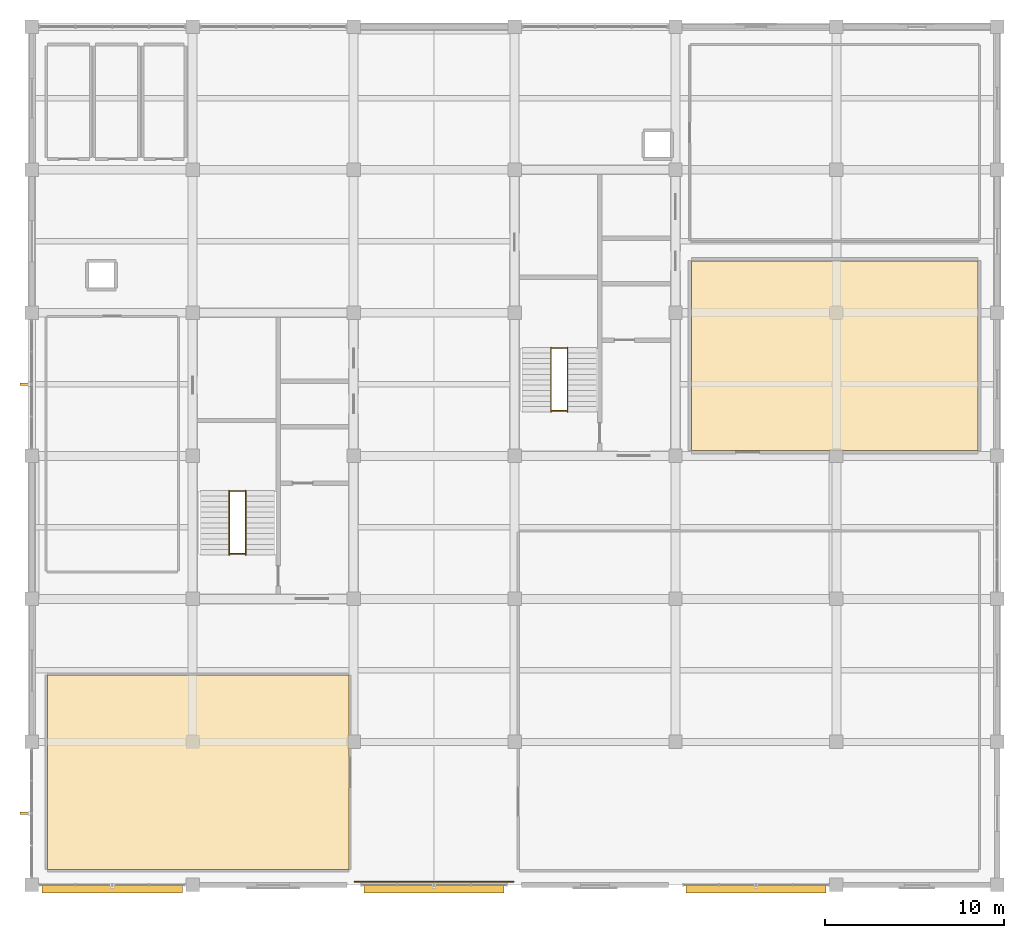
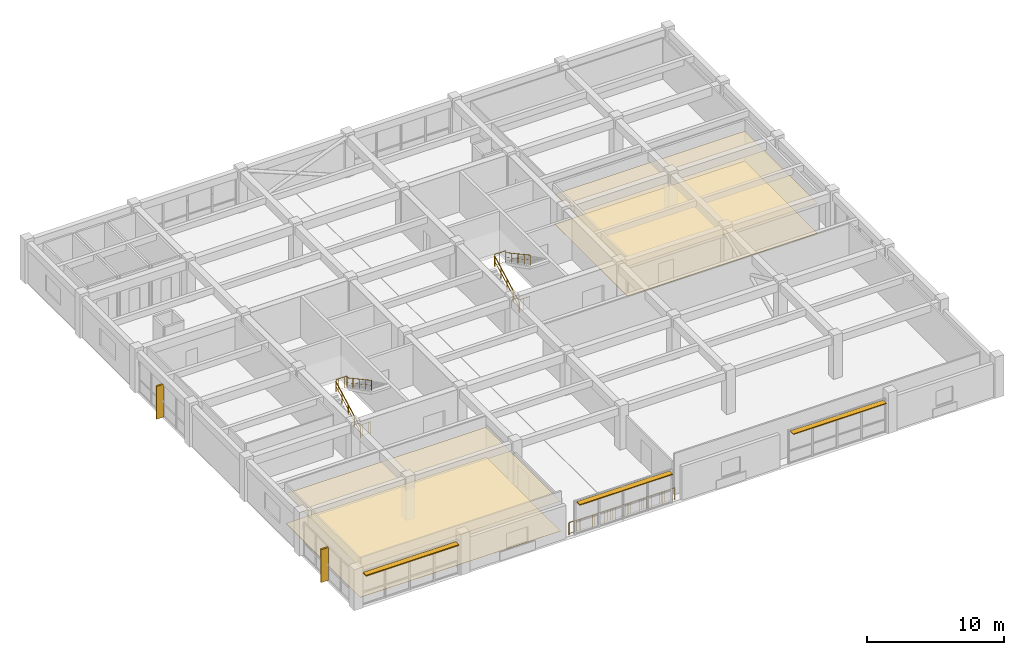
# One storey, part 15 of 15: 9 railings, 5 shading devices, 4 coverings.
"""IFC4 building model written with IfcOpenShell, lengths in metres."""

from ifc_helpers import new_model, si_unit, direction, frame, frame_2d, origin, origin_2d, place, context, subcontext, project, spatial, polyline, rectangle, circle, outline, extrude, material, layer, layer_set, type_object, element, save


model = new_model("IFC4")

# Units and contexts
model_context = context("Model", 3, precision=1e-05, world=origin(), true_north=direction((0.0, 1.0)))
body_context = subcontext(model_context, "Body", "Model", "MODEL_VIEW")
ifc_project = project(units=[si_unit("LENGTHUNIT", "METRE"), si_unit("AREAUNIT", "SQUARE_METRE"), si_unit("VOLUMEUNIT", "CUBIC_METRE"), si_unit("PLANEANGLEUNIT", "RADIAN"), si_unit("MASSUNIT", "GRAM", prefix="KILO")], contexts=[model_context])

# Site, building, storey
site_placement = place(None, origin())
site = spatial("IfcSite", under=ifc_project, at=site_placement, CompositionType="ELEMENT")
building_placement = place(site_placement, origin())
building = spatial("IfcBuilding", under=site, at=building_placement, Name="Zaverband Oceanarium and Marine Research Institute", CompositionType="ELEMENT")
storey_placement = place(building_placement, frame((0.0, 0.0, 53.10009765625)))
storey = spatial("IfcBuildingStorey", under=building, at=storey_placement, Name="L13", CompositionType="ELEMENT", Elevation=53.10009765625)

# Coverings
ifc_material_1 = material(Name="Perforated mineral-fibre acoustic ceiling tile")
ifc_layer_1 = layer(ifc_material_1, 0.02490234375, Name="Perforated mineral-fibre acoustic ceiling tile")
ifc_layer_set_1 = layer_set([ifc_layer_1], Name="Perforated mineral-fibre acoustic ceiling tile")
covering_type_1 = type_object("IfcCoveringType", Name="CLG-AC-15", PredefinedType="CEILING", material=ifc_layer_set_1)
covering_1_placement = place(storey_placement, frame((0.0, 0.0, 2.659912109375)))
element("IfcCovering", 1, at=covering_1_placement, inside=storey, type_object=covering_type_1, Name="Suspended acoustic ceiling CLG-AC-15", PredefinedType="CEILING", context=body_context, shape_type="SweptSolid", body=[
    extrude(outline(polyline([(9.864990234375, 64.864990234375), (26.735107421875, 64.864990234375), (26.735107421875, 75.735107421875), (9.864990234375, 75.735107421875), (9.864990234375, 64.864990234375)])), origin(), (0.0, 0.0, 1.0), 0.02490234375),
])
covering_2_placement = place(storey_placement, frame((0.0, 0.0, 2.659912109375)))
element("IfcCovering", 2, at=covering_2_placement, inside=storey, type_object=covering_type_1, Name="Suspended acoustic ceiling CLG-AC-15", PredefinedType="CEILING", context=body_context, shape_type="SweptSolid", body=[
    extrude(outline(polyline([(45.889892578125, 88.2900390625), (61.909912109375, 88.2900390625), (61.909912109375, 98.909912109375), (45.889892578125, 98.909912109375), (45.889892578125, 88.2900390625)])), origin(), (0.0, 0.0, 1.0), 0.02490234375),
])
ifc_material_2 = material(Name="Polished marine terrazzo and seamless laboratory epoxy flooring")
ifc_layer_2 = layer(ifc_material_2, 0.02490234375, Name="Polished marine terrazzo and seamless laboratory epoxy flooring")
ifc_layer_set_2 = layer_set([ifc_layer_2], Name="Polished marine terrazzo and seamless laboratory epoxy flooring")
covering_type_2 = type_object("IfcCoveringType", Name="FLR-TRZ-20", PredefinedType="FLOORING", material=ifc_layer_set_2)
covering_3_placement = place(storey_placement, origin())
element("IfcCovering", 3, at=covering_3_placement, inside=storey, type_object=covering_type_2, Name="Terrazzo and marine epoxy floor finish FLR-TRZ-20", PredefinedType="FLOORING", context=body_context, shape_type="SweptSolid", body=[
    extrude(outline(polyline([(9.864990234375, 64.864990234375), (26.735107421875, 64.864990234375), (26.735107421875, 75.735107421875), (9.864990234375, 75.735107421875), (9.864990234375, 64.864990234375)])), origin(), (0.0, 0.0, 1.0), 0.02490234375),
])
covering_4_placement = place(storey_placement, origin())
element("IfcCovering", 4, at=covering_4_placement, inside=storey, type_object=covering_type_2, Name="Terrazzo and marine epoxy floor finish FLR-TRZ-20", PredefinedType="FLOORING", context=body_context, shape_type="SweptSolid", body=[
    extrude(outline(polyline([(45.889892578125, 88.2900390625), (61.909912109375, 88.2900390625), (61.909912109375, 98.909912109375), (45.889892578125, 98.909912109375), (45.889892578125, 88.2900390625)])), origin(), (0.0, 0.0, 1.0), 0.02490234375),
])

# Railings
ifc_material_3 = material(Name="Steel S355", Category="steel")
ifc_layer_3 = layer(ifc_material_3, 0.06005859375, Name="Steel S355")
ifc_layer_set_3 = layer_set([ifc_layer_3], Name="Steel S355")
railing_type_1 = type_object("IfcRailingType", Name="GRD-1100", PredefinedType="BALUSTRADE", material=ifc_layer_set_3)
for number, where, name in (
    (5, (20.0400390625, 86.030029296875, 1.949951171875), "1100 mm steel post-and-baluster safety guard GRD-1100"),
    (6, (20.0400390625, 82.530029296875, 0.0), "1100 mm steel post-and-baluster safety guard GRD-1100"),
    (7, (38.0400390625, 94.030029296875, 1.949951171875), "1100 mm steel post-and-baluster safety guard GRD-1100"),
    (8, (38.0400390625, 90.530029296875, 0.0), "1100 mm steel post-and-baluster safety guard GRD-1100"),
):
    element("IfcRailing", number, at=place(storey_placement, frame(where)), inside=storey, type_object=railing_type_1, Name=name, PredefinedType="BALUSTRADE", context=body_context, shape_type="SweptSolid", body=[
        extrude(circle(Radius=0.02392578125, at=origin_2d()), frame((0.0, 0.0, 1.076171875), z_axis=(1.0, 0.0, 0.0), x_axis=(0.0, 1.0, 0.0)), (0.0, 0.0, 1.0), 0.919921875),
        extrude(circle(Radius=0.009033203125, at=origin_2d()), frame((0.0, 0.0, 0.10009765625), z_axis=(1.0, 0.0, 0.0), x_axis=(0.0, 1.0, 0.0)), (0.0, 0.0, 1.0), 0.919921875),
        extrude(circle(Radius=0.009033203125, at=origin_2d()), frame((0.18408203125, 0.0, 0.10009765625)), (0.0, 0.0, 1.0), 0.951904296875),
        extrude(circle(Radius=0.009033203125, at=origin_2d()), frame((0.367919921875, 0.0, 0.10009765625)), (0.0, 0.0, 1.0), 0.951904296875),
        extrude(circle(Radius=0.009033203125, at=origin_2d()), frame((0.552001953125, 0.0, 0.10009765625)), (0.0, 0.0, 1.0), 0.951904296875),
        extrude(circle(Radius=0.009033203125, at=origin_2d()), frame((0.73583984375, 0.0, 0.10009765625)), (0.0, 0.0, 1.0), 0.951904296875),
        extrude(circle(Radius=0.02099609375, at=origin_2d()), origin(), (0.0, 0.0, 1.0), 1.052001953125),
        extrude(circle(Radius=0.02099609375, at=origin_2d()), frame((0.919921875, 0.0, 0.0)), (0.0, 0.0, 1.0), 1.052001953125),
    ])
railing_1_placement = place(storey_placement, frame((27.050048828125, 64.179931640625, 0.0)))
element("IfcRailing", 9, at=railing_1_placement, inside=storey, type_object=railing_type_1, Name="1100 mm steel post-and-baluster safety guard GRD-1100", PredefinedType="BALUSTRADE", context=body_context, shape_type="SweptSolid", body=[
    extrude(circle(Radius=0.02392578125, at=origin_2d()), frame((0.0, 0.0, 1.076171875), z_axis=(1.0, 0.0, 0.0), x_axis=(0.0, 1.0, 0.0)), (0.0, 0.0, 1.0), 8.89990234375),
    extrude(circle(Radius=0.009033203125, at=origin_2d()), frame((0.0, 0.0, 0.10009765625), z_axis=(1.0, 0.0, 0.0), x_axis=(0.0, 1.0, 0.0)), (0.0, 0.0, 1.0), 8.89990234375),
    extrude(circle(Radius=0.009033203125, at=origin_2d()), frame((0.217041015625, 0.0, 0.10009765625)), (0.0, 0.0, 1.0), 0.951904296875),
    extrude(circle(Radius=0.009033203125, at=origin_2d()), frame((0.43408203125, 0.0, 0.10009765625)), (0.0, 0.0, 1.0), 0.951904296875),
    extrude(circle(Radius=0.009033203125, at=origin_2d()), frame((0.651123046875, 0.0, 0.10009765625)), (0.0, 0.0, 1.0), 0.951904296875),
    extrude(circle(Radius=0.009033203125, at=origin_2d()), frame((0.8681640625, 0.0, 0.10009765625)), (0.0, 0.0, 1.0), 0.951904296875),
    extrude(circle(Radius=0.009033203125, at=origin_2d()), frame((1.08544921875, 0.0, 0.10009765625)), (0.0, 0.0, 1.0), 0.951904296875),
    extrude(circle(Radius=0.009033203125, at=origin_2d()), frame((1.302490234375, 0.0, 0.10009765625)), (0.0, 0.0, 1.0), 0.951904296875),
    extrude(circle(Radius=0.009033203125, at=origin_2d()), frame((1.51953125, 0.0, 0.10009765625)), (0.0, 0.0, 1.0), 0.951904296875),
    extrude(circle(Radius=0.009033203125, at=origin_2d()), frame((1.736572265625, 0.0, 0.10009765625)), (0.0, 0.0, 1.0), 0.951904296875),
    extrude(circle(Radius=0.009033203125, at=origin_2d()), frame((1.95361328125, 0.0, 0.10009765625)), (0.0, 0.0, 1.0), 0.951904296875),
    extrude(circle(Radius=0.009033203125, at=origin_2d()), frame((2.170654296875, 0.0, 0.10009765625)), (0.0, 0.0, 1.0), 0.951904296875),
    extrude(circle(Radius=0.009033203125, at=origin_2d()), frame((2.3876953125, 0.0, 0.10009765625)), (0.0, 0.0, 1.0), 0.951904296875),
    extrude(circle(Radius=0.009033203125, at=origin_2d()), frame((2.604736328125, 0.0, 0.10009765625)), (0.0, 0.0, 1.0), 0.951904296875),
    extrude(circle(Radius=0.009033203125, at=origin_2d()), frame((2.822021484375, 0.0, 0.10009765625)), (0.0, 0.0, 1.0), 0.951904296875),
    extrude(circle(Radius=0.009033203125, at=origin_2d()), frame((3.0390625, 0.0, 0.10009765625)), (0.0, 0.0, 1.0), 0.951904296875),
    extrude(circle(Radius=0.009033203125, at=origin_2d()), frame((3.256103515625, 0.0, 0.10009765625)), (0.0, 0.0, 1.0), 0.951904296875),
    extrude(circle(Radius=0.009033203125, at=origin_2d()), frame((3.47314453125, 0.0, 0.10009765625)), (0.0, 0.0, 1.0), 0.951904296875),
    extrude(circle(Radius=0.009033203125, at=origin_2d()), frame((3.690185546875, 0.0, 0.10009765625)), (0.0, 0.0, 1.0), 0.951904296875),
    extrude(circle(Radius=0.009033203125, at=origin_2d()), frame((3.9072265625, 0.0, 0.10009765625)), (0.0, 0.0, 1.0), 0.951904296875),
    extrude(circle(Radius=0.009033203125, at=origin_2d()), frame((4.124267578125, 0.0, 0.10009765625)), (0.0, 0.0, 1.0), 0.951904296875),
    extrude(circle(Radius=0.009033203125, at=origin_2d()), frame((4.34130859375, 0.0, 0.10009765625)), (0.0, 0.0, 1.0), 0.951904296875),
    extrude(circle(Radius=0.009033203125, at=origin_2d()), frame((4.55859375, 0.0, 0.10009765625)), (0.0, 0.0, 1.0), 0.951904296875),
    extrude(circle(Radius=0.009033203125, at=origin_2d()), frame((4.775634765625, 0.0, 0.10009765625)), (0.0, 0.0, 1.0), 0.951904296875),
    extrude(circle(Radius=0.009033203125, at=origin_2d()), frame((4.99267578125, 0.0, 0.10009765625)), (0.0, 0.0, 1.0), 0.951904296875),
    extrude(circle(Radius=0.009033203125, at=origin_2d()), frame((5.209716796875, 0.0, 0.10009765625)), (0.0, 0.0, 1.0), 0.951904296875),
    extrude(circle(Radius=0.009033203125, at=origin_2d()), frame((5.4267578125, 0.0, 0.10009765625)), (0.0, 0.0, 1.0), 0.951904296875),
    extrude(circle(Radius=0.009033203125, at=origin_2d()), frame((5.643798828125, 0.0, 0.10009765625)), (0.0, 0.0, 1.0), 0.951904296875),
    extrude(circle(Radius=0.009033203125, at=origin_2d()), frame((5.86083984375, 0.0, 0.10009765625)), (0.0, 0.0, 1.0), 0.951904296875),
    extrude(circle(Radius=0.009033203125, at=origin_2d()), frame((6.077880859375, 0.0, 0.10009765625)), (0.0, 0.0, 1.0), 0.951904296875),
    extrude(circle(Radius=0.009033203125, at=origin_2d()), frame((6.295166015625, 0.0, 0.10009765625)), (0.0, 0.0, 1.0), 0.951904296875),
    extrude(circle(Radius=0.009033203125, at=origin_2d()), frame((6.51220703125, 0.0, 0.10009765625)), (0.0, 0.0, 1.0), 0.951904296875),
    extrude(circle(Radius=0.009033203125, at=origin_2d()), frame((6.729248046875, 0.0, 0.10009765625)), (0.0, 0.0, 1.0), 0.951904296875),
    extrude(circle(Radius=0.009033203125, at=origin_2d()), frame((6.9462890625, 0.0, 0.10009765625)), (0.0, 0.0, 1.0), 0.951904296875),
    extrude(circle(Radius=0.009033203125, at=origin_2d()), frame((7.163330078125, 0.0, 0.10009765625)), (0.0, 0.0, 1.0), 0.951904296875),
    extrude(circle(Radius=0.009033203125, at=origin_2d()), frame((7.38037109375, 0.0, 0.10009765625)), (0.0, 0.0, 1.0), 0.951904296875),
    extrude(circle(Radius=0.009033203125, at=origin_2d()), frame((7.597412109375, 0.0, 0.10009765625)), (0.0, 0.0, 1.0), 0.951904296875),
    extrude(circle(Radius=0.009033203125, at=origin_2d()), frame((7.814453125, 0.0, 0.10009765625)), (0.0, 0.0, 1.0), 0.951904296875),
    extrude(circle(Radius=0.009033203125, at=origin_2d()), frame((8.03173828125, 0.0, 0.10009765625)), (0.0, 0.0, 1.0), 0.951904296875),
    extrude(circle(Radius=0.009033203125, at=origin_2d()), frame((8.248779296875, 0.0, 0.10009765625)), (0.0, 0.0, 1.0), 0.951904296875),
    extrude(circle(Radius=0.009033203125, at=origin_2d()), frame((8.4658203125, 0.0, 0.10009765625)), (0.0, 0.0, 1.0), 0.951904296875),
    extrude(circle(Radius=0.009033203125, at=origin_2d()), frame((8.682861328125, 0.0, 0.10009765625)), (0.0, 0.0, 1.0), 0.951904296875),
    extrude(circle(Radius=0.02099609375, at=origin_2d()), origin(), (0.0, 0.0, 1.0), 1.052001953125),
    extrude(circle(Radius=0.02099609375, at=origin_2d()), frame((0.98876953125, 0.0, 0.0)), (0.0, 0.0, 1.0), 1.052001953125),
    extrude(circle(Radius=0.02099609375, at=origin_2d()), frame((1.977783203125, 0.0, 0.0)), (0.0, 0.0, 1.0), 1.052001953125),
    extrude(circle(Radius=0.02099609375, at=origin_2d()), frame((2.966552734375, 0.0, 0.0)), (0.0, 0.0, 1.0), 1.052001953125),
    extrude(circle(Radius=0.02099609375, at=origin_2d()), frame((3.95556640625, 0.0, 0.0)), (0.0, 0.0, 1.0), 1.052001953125),
    extrude(circle(Radius=0.02099609375, at=origin_2d()), frame((4.9443359375, 0.0, 0.0)), (0.0, 0.0, 1.0), 1.052001953125),
    extrude(circle(Radius=0.02099609375, at=origin_2d()), frame((5.933349609375, 0.0, 0.0)), (0.0, 0.0, 1.0), 1.052001953125),
    extrude(circle(Radius=0.02099609375, at=origin_2d()), frame((6.922119140625, 0.0, 0.0)), (0.0, 0.0, 1.0), 1.052001953125),
    extrude(circle(Radius=0.02099609375, at=origin_2d()), frame((7.9111328125, 0.0, 0.0)), (0.0, 0.0, 1.0), 1.052001953125),
    extrude(circle(Radius=0.02099609375, at=origin_2d()), frame((8.89990234375, 0.0, 0.0)), (0.0, 0.0, 1.0), 1.052001953125),
])
ifc_layer_4 = layer(ifc_material_3, 0.050048828125, Name="Steel S355")
ifc_layer_set_4 = layer_set([ifc_layer_4], Name="Steel S355")
railing_type_2 = type_object("IfcRailingType", Name="HR-920", PredefinedType="HANDRAIL", material=ifc_layer_set_4)
railing_2_placement = place(storey_placement, frame((20.0400390625, 82.449951171875, 0.0)))
element("IfcRailing", 10, at=railing_2_placement, inside=storey, type_object=railing_type_2, Name="920 mm continuous tubular stair and ramp handrail HR-920", PredefinedType="HANDRAIL", context=body_context, shape_type="SweptSolid", body=[
    extrude(circle(Radius=0.02392578125, at=origin_2d()), frame((0.0, 0.0, 0.89599609375), z_axis=(0.0, 0.879302371543, 0.476263938798), x_axis=(-1.0, 0.0, 0.0)), (0.0, 0.0, 1.0), 4.09423828125),
    extrude(circle(Radius=0.009033203125, at=origin_2d()), frame((0.0, 0.0, 0.4599609375), z_axis=(0.0, 0.879302371543, 0.476263938798), x_axis=(-1.0, 0.0, 0.0)), (0.0, 0.0, 1.0), 4.09423828125),
    extrude(circle(Radius=0.02099609375, at=origin_2d()), origin(), (0.0, 0.0, 1.0), 0.871826171875),
    extrude(circle(Radius=0.02099609375, at=origin_2d()), frame((0.0, 0.89990234375, 0.487548828125)), (0.0, 0.0, 1.0), 0.871826171875),
    extrude(circle(Radius=0.02099609375, at=origin_2d()), frame((0.0, 1.800048828125, 0.97509765625)), (0.0, 0.0, 1.0), 0.871826171875),
    extrude(circle(Radius=0.02099609375, at=origin_2d()), frame((0.0, 2.7001953125, 1.46240234375)), (0.0, 0.0, 1.0), 0.871826171875),
    extrude(circle(Radius=0.02099609375, at=origin_2d()), frame((0.0, 3.60009765625, 1.949951171875)), (0.0, 0.0, 1.0), 0.871826171875),
])
railing_3_placement = place(storey_placement, frame((20.9599609375, 86.050048828125, 1.949951171875)))
element("IfcRailing", 11, at=railing_3_placement, inside=storey, type_object=railing_type_2, Name="920 mm continuous tubular stair and ramp handrail HR-920", PredefinedType="HANDRAIL", context=body_context, shape_type="SweptSolid", body=[
    extrude(circle(Radius=0.02392578125, at=origin_2d()), frame((0.0, 0.0, 0.89599609375), z_axis=(0.0, -0.879302371543, 0.476263938798), x_axis=(1.0, 0.0, 0.0)), (0.0, 0.0, 1.0), 4.09423828125),
    extrude(circle(Radius=0.009033203125, at=origin_2d()), frame((0.0, 0.0, 0.4599609375), z_axis=(0.0, -0.879302371543, 0.476263938798), x_axis=(1.0, 0.0, 0.0)), (0.0, 0.0, 1.0), 4.09423828125),
    extrude(circle(Radius=0.02099609375, at=origin_2d()), origin(), (0.0, 0.0, 1.0), 0.871826171875),
    extrude(circle(Radius=0.02099609375, at=origin_2d()), frame((0.0, -0.89990234375, 0.487548828125)), (0.0, 0.0, 1.0), 0.871826171875),
    extrude(circle(Radius=0.02099609375, at=origin_2d()), frame((0.0, -1.800048828125, 0.97509765625)), (0.0, 0.0, 1.0), 0.871826171875),
    extrude(circle(Radius=0.02099609375, at=origin_2d()), frame((0.0, -2.7001953125, 1.46240234375)), (0.0, 0.0, 1.0), 0.871826171875),
    extrude(circle(Radius=0.02099609375, at=origin_2d()), frame((0.0, -3.60009765625, 1.949951171875)), (0.0, 0.0, 1.0), 0.871826171875),
])
railing_4_placement = place(storey_placement, frame((38.0400390625, 90.449951171875, 0.0)))
element("IfcRailing", 12, at=railing_4_placement, inside=storey, type_object=railing_type_2, Name="920 mm continuous tubular stair and ramp handrail HR-920", PredefinedType="HANDRAIL", context=body_context, shape_type="SweptSolid", body=[
    extrude(circle(Radius=0.02392578125, at=origin_2d()), frame((0.0, 0.0, 0.89599609375), z_axis=(0.0, 0.879302371543, 0.476263938798), x_axis=(-1.0, 0.0, 0.0)), (0.0, 0.0, 1.0), 4.09423828125),
    extrude(circle(Radius=0.009033203125, at=origin_2d()), frame((0.0, 0.0, 0.4599609375), z_axis=(0.0, 0.879302371543, 0.476263938798), x_axis=(-1.0, 0.0, 0.0)), (0.0, 0.0, 1.0), 4.09423828125),
    extrude(circle(Radius=0.02099609375, at=origin_2d()), origin(), (0.0, 0.0, 1.0), 0.871826171875),
    extrude(circle(Radius=0.02099609375, at=origin_2d()), frame((0.0, 0.89990234375, 0.487548828125)), (0.0, 0.0, 1.0), 0.871826171875),
    extrude(circle(Radius=0.02099609375, at=origin_2d()), frame((0.0, 1.800048828125, 0.97509765625)), (0.0, 0.0, 1.0), 0.871826171875),
    extrude(circle(Radius=0.02099609375, at=origin_2d()), frame((0.0, 2.7001953125, 1.46240234375)), (0.0, 0.0, 1.0), 0.871826171875),
    extrude(circle(Radius=0.02099609375, at=origin_2d()), frame((0.0, 3.60009765625, 1.949951171875)), (0.0, 0.0, 1.0), 0.871826171875),
])
railing_5_placement = place(storey_placement, frame((38.9599609375, 94.050048828125, 1.949951171875)))
element("IfcRailing", 13, at=railing_5_placement, inside=storey, type_object=railing_type_2, Name="920 mm continuous tubular stair and ramp handrail HR-920", PredefinedType="HANDRAIL", context=body_context, shape_type="SweptSolid", body=[
    extrude(circle(Radius=0.02392578125, at=origin_2d()), frame((0.0, 0.0, 0.89599609375), z_axis=(0.0, -0.879302371543, 0.476263938798), x_axis=(1.0, 0.0, 0.0)), (0.0, 0.0, 1.0), 4.09423828125),
    extrude(circle(Radius=0.009033203125, at=origin_2d()), frame((0.0, 0.0, 0.4599609375), z_axis=(0.0, -0.879302371543, 0.476263938798), x_axis=(1.0, 0.0, 0.0)), (0.0, 0.0, 1.0), 4.09423828125),
    extrude(circle(Radius=0.02099609375, at=origin_2d()), origin(), (0.0, 0.0, 1.0), 0.871826171875),
    extrude(circle(Radius=0.02099609375, at=origin_2d()), frame((0.0, -0.89990234375, 0.487548828125)), (0.0, 0.0, 1.0), 0.871826171875),
    extrude(circle(Radius=0.02099609375, at=origin_2d()), frame((0.0, -1.800048828125, 0.97509765625)), (0.0, 0.0, 1.0), 0.871826171875),
    extrude(circle(Radius=0.02099609375, at=origin_2d()), frame((0.0, -2.7001953125, 1.46240234375)), (0.0, 0.0, 1.0), 0.871826171875),
    extrude(circle(Radius=0.02099609375, at=origin_2d()), frame((0.0, -3.60009765625, 1.949951171875)), (0.0, 0.0, 1.0), 0.871826171875),
])

# Shading devices
ifc_material_4 = material(Name="Concrete C40/50 precast brise-soleil", Category="concrete")
ifc_layer_5 = layer(ifc_material_4, 0.139892578125, Name="Concrete C40/50 precast brise-soleil")
ifc_layer_set_5 = layer_set([ifc_layer_5], Name="Concrete C40/50 precast brise-soleil")
shading_device_type_1 = type_object("IfcShadingDeviceType", Name="SHD-FIN-600", PredefinedType="JALOUSIE", material=ifc_layer_set_5)
for number, where, z_axis, x_axis, name in (
    (14, (8.93994140625, 68.0, 0.0), (0.0, 0.0, 1.0), (-1.0, 0.0, 0.0), "600 mm vertical precast brise-soleil fin SHD-FIN-600"),
    (15, (8.93994140625, 92.0, 0.0), (0.0, 0.0, 1.0), (-1.0, 0.0, 0.0), "600 mm vertical precast brise-soleil fin SHD-FIN-600"),
):
    element("IfcShadingDevice", number, at=place(storey_placement, frame(where, z_axis=z_axis, x_axis=x_axis)), inside=storey, type_object=shading_device_type_1, Name=name, PredefinedType="JALOUSIE", context=body_context, shape_type="SweptSolid", body=[
        extrude(rectangle(XDim=0.599853515625, YDim=0.139892578125, at=frame_2d((0.2998046875, 0.0))), origin(), (0.0, 0.0, 1.0), 2.929931640625),
    ])
ifc_material_5 = material(Name="Anodized bronze marine-grade aluminium", Category="aluminium")
ifc_layer_6 = layer(ifc_material_5, 0.080078125, Name="Anodized bronze marine-grade aluminium")
ifc_layer_set_6 = layer_set([ifc_layer_6], Name="Anodized bronze marine-grade aluminium")
shading_device_type_2 = type_object("IfcShadingDeviceType", Name="SHD-LVR-450", PredefinedType="USERDEFINED", material=ifc_layer_set_6)
for number, where, z_axis, x_axis, name in (
    (16, (9.580078125, 63.760009765625, 2.7998046875), (0.0, 0.0, 1.0), (1.0, 0.0, 0.0), "450 mm horizontal solar shading louvre SHD-LVR-450"),
    (17, (27.580078125, 63.760009765625, 2.7998046875), (0.0, 0.0, 1.0), (1.0, 0.0, 0.0), "450 mm horizontal solar shading louvre SHD-LVR-450"),
    (18, (45.580078125, 63.760009765625, 2.7998046875), (0.0, 0.0, 1.0), (1.0, 0.0, 0.0), "450 mm horizontal solar shading louvre SHD-LVR-450"),
):
    element("IfcShadingDevice", number, at=place(storey_placement, frame(where, z_axis=z_axis, x_axis=x_axis)), inside=storey, type_object=shading_device_type_2, Name=name, ObjectType="LOUVRE", PredefinedType="USERDEFINED", context=body_context, shape_type="SweptSolid", body=[
        extrude(rectangle(XDim=7.83984375, YDim=0.449951171875, at=frame_2d((3.919921875, 0.0))), origin(), (0.0, 0.0, 1.0), 0.080078125),
    ])

save(model, "model.ifc")
